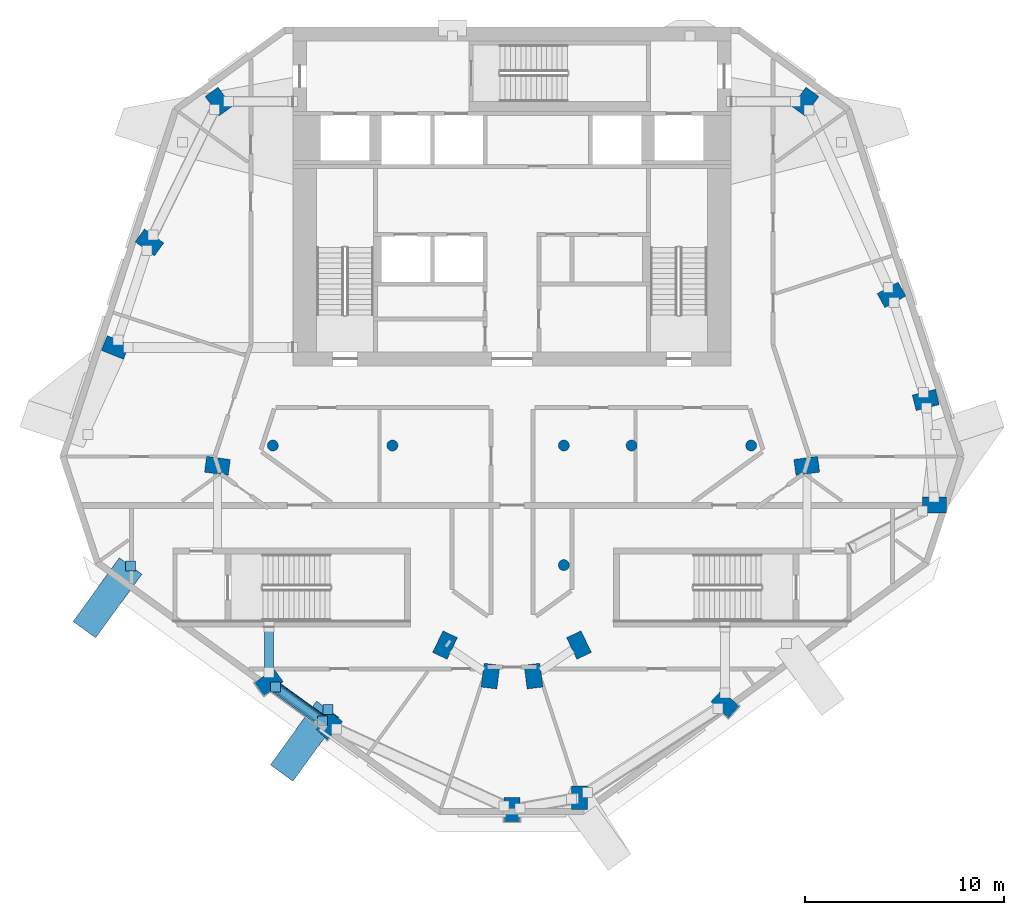
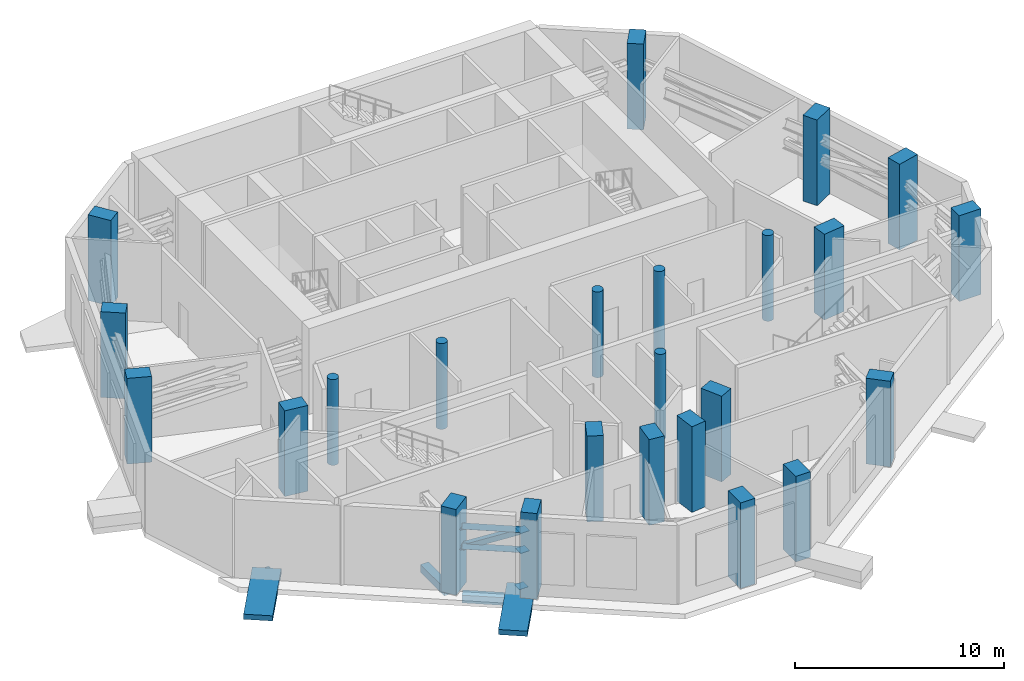
# One storey, part 1 of 15: 24 columns, 6 discrete accessories, 5 members, 2 beams.
"""IFC4 building model written with IfcOpenShell, lengths in metres."""

import ifcopenshell
import ifcopenshell.guid

model = None  # the IFC model being written
_history = None  # IfcOwnerHistory: only IFC2X3 demands one
_inside = {}  # id of a spatial element -> (the spatial element, [elements in it])
_under = {}  # id of a project, library or spatial element -> (it, [spatial elements below it])
_declared = {}  # id of a project -> (the project, [libraries it declares])
_typed = {}  # id of a type object -> (the type object, [elements of that type])
_made_of = {}  # id of a material, layer set ... -> (it, [elements and type objects made of it])


def new_model(schema):
    """Start an empty IFC model of exactly this schema.

    Asked for "IFC4X3", IfcOpenShell would pick the latest addendum, in which some entities
    have other attributes; the version numbers below select the first issue.
    IFC2X3 requires an IfcOwnerHistory on every rooted entity: one is made here for all.
    """
    global model, _history
    if schema == "IFC4X3":
        model = ifcopenshell.file(schema_version=(4, 3, 0, 0))
    else:
        model = ifcopenshell.file(schema=schema)
    _inside.clear()
    _under.clear()
    _declared.clear()
    _typed.clear()
    _made_of.clear()
    _history = None
    if model.schema == "IFC2X3":
        org = make("IfcOrganization", Name="unknown")
        user = make(
            "IfcPersonAndOrganization",
            ThePerson=make("IfcPerson", FamilyName="unknown"),
            TheOrganization=org,
        )
        app = make(
            "IfcApplication",
            ApplicationDeveloper=org,
            Version="unknown",
            ApplicationFullName="unknown",
            ApplicationIdentifier="unknown",
        )
        _history = make(
            "IfcOwnerHistory",
            OwningUser=user,
            OwningApplication=app,
            ChangeAction="ADDED",
            CreationDate=0,
        )
    return model


def make(cls, **values):
    """One entity of the class cls with the attributes given. An attribute that is None is left unset."""
    return model.create_entity(
        cls, **{name: value for name, value in values.items() if value is not None}
    )


def rooted(cls, **values):
    """An entity with a GlobalId (a new one), such as an element, a storey or a relation."""
    return make(cls, GlobalId=ifcopenshell.guid.new(), OwnerHistory=_history, **values)


def si_unit(unit_type, name, prefix=None):
    """IfcSIUnit, for example si_unit("LENGTHUNIT", "METRE", prefix="MILLI")."""
    return make("IfcSIUnit", UnitType=unit_type, Prefix=prefix, Name=name)


def assignment(units):
    """IfcUnitAssignment: the units of a project."""
    return None if units is None else make("IfcUnitAssignment", Units=units)


def point(xyz):
    """IfcCartesianPoint."""
    return None if xyz is None else make("IfcCartesianPoint", Coordinates=xyz)


def direction(xyz):
    """IfcDirection."""
    return None if xyz is None else make("IfcDirection", DirectionRatios=xyz)


def frame(location, z_axis=None, x_axis=None):
    """IfcAxis2Placement3D, a coordinate frame: its origin and axes. An axis left out is left unset."""
    return make(
        "IfcAxis2Placement3D",
        Location=point(location),
        Axis=direction(z_axis),
        RefDirection=direction(x_axis),
    )


def frame_2d(location, x_axis=None):
    """IfcAxis2Placement2D, a coordinate frame in the plane: its origin and x axis."""
    return make(
        "IfcAxis2Placement2D", Location=point(location), RefDirection=direction(x_axis)
    )


def origin():
    """The frame at (0, 0, 0) with its axes left unset."""
    return frame((0.0, 0.0, 0.0))


def origin_2d():
    """The frame at (0, 0) in the plane with its x axis left unset."""
    return frame_2d((0.0, 0.0))


def place(relative_to, where):
    """IfcLocalPlacement: puts the frame where relative to a parent placement (None: the world)."""
    return make(
        "IfcLocalPlacement", PlacementRelTo=relative_to, RelativePlacement=where
    )


def context(
    kind, dimensions, precision=None, world=None, true_north=None, identifier=None
):
    """IfcGeometricRepresentationContext, for example the 3D "Model" context."""
    return make(
        "IfcGeometricRepresentationContext",
        ContextIdentifier=identifier,
        ContextType=kind,
        CoordinateSpaceDimension=dimensions,
        Precision=precision,
        WorldCoordinateSystem=world,
        TrueNorth=true_north,
    )


def subcontext(parent, identifier, kind, view, scale=None):
    """IfcGeometricRepresentationSubContext, for example "Body" below "Model"."""
    return make(
        "IfcGeometricRepresentationSubContext",
        ContextIdentifier=identifier,
        ContextType=kind,
        ParentContext=parent,
        TargetScale=scale,
        TargetView=view,
    )


def project(units=None, contexts=None):
    """IfcProject with its units and contexts."""
    return rooted(
        "IfcProject",
        Name="project",
        RepresentationContexts=contexts,
        UnitsInContext=assignment(units),
    )


def spatial(cls, under=None, at=None, **own):
    """A site, building, storey or space (cls), placed at a placement, below another one or the project."""
    s = rooted(cls, ObjectPlacement=at, **own)
    if under is not None:
        _under.setdefault(under.id(), (under, []))[1].append(s)
    return s


def profile(cls, at=None, kind="AREA", **sizes):
    """A parametric profile (cls). Its sizes go by their IFC names, for example OverallWidth=200.0."""
    return make(cls, ProfileType=kind, Position=at, **sizes)


def rectangle(**sizes):
    """IfcRectangleProfileDef."""
    return profile("IfcRectangleProfileDef", **sizes)


def hollow_rectangle(**sizes):
    """IfcRectangleHollowProfileDef."""
    return profile("IfcRectangleHollowProfileDef", **sizes)


def circle(**sizes):
    """IfcCircleProfileDef."""
    return profile("IfcCircleProfileDef", **sizes)


def i_section(**sizes):
    """IfcIShapeProfileDef."""
    return profile("IfcIShapeProfileDef", **sizes)


def extrude(swept, where, along, depth):
    """IfcExtrudedAreaSolid: the profile swept, set in the frame where, extruded along a direction by depth."""
    return make(
        "IfcExtrudedAreaSolid",
        SweptArea=swept,
        Position=where,
        ExtrudedDirection=direction(along),
        Depth=depth,
    )


def shape(context_of_items, identifier, shape_type, items):
    """IfcShapeRepresentation: the items that make up one representation, for example the "Body"."""
    return make(
        "IfcShapeRepresentation",
        ContextOfItems=context_of_items,
        RepresentationIdentifier=identifier,
        RepresentationType=shape_type,
        Items=items,
    )


def material(Name=None, Category=None):
    """IfcMaterial."""
    return make("IfcMaterial", Name=Name, Category=Category)


def layer(
    of_material, thickness, ventilated=None, Name=None, Category=None, Priority=None
):
    """IfcMaterialLayer: one layer of a wall or slab, of a material (None: an air gap)."""
    return make(
        "IfcMaterialLayer",
        Material=of_material,
        LayerThickness=thickness,
        IsVentilated=ventilated,
        Name=Name,
        Category=Category,
        Priority=Priority,
    )


def layer_set(layers, Name=None):
    """IfcMaterialLayerSet."""
    return make("IfcMaterialLayerSet", MaterialLayers=layers, LayerSetName=Name)


def material_profile(
    of_material, cross_section, Name=None, Category=None, Priority=None
):
    """IfcMaterialProfile: a cross section and its material."""
    return make(
        "IfcMaterialProfile",
        Name=Name,
        Material=of_material,
        Profile=cross_section,
        Priority=Priority,
        Category=Category,
    )


def profile_set(profiles, Name=None, composite=None):
    """IfcMaterialProfileSet."""
    return make(
        "IfcMaterialProfileSet",
        Name=Name,
        MaterialProfiles=profiles,
        CompositeProfile=composite,
    )


def made_of(thing, what):
    """Note that an element or type object is made of a material, layer set ...; save() writes the relation."""
    if what is not None:
        _made_of.setdefault(what.id(), (what, []))[1].append(thing)
    return thing


def type_object(cls, material=None, **own):
    """A type object (cls), such as IfcWallType, which elements share."""
    return made_of(rooted(cls, **own), material)


def element(
    cls,
    number,
    at=None,
    inside=None,
    cuts=None,
    type_object=None,
    material=None,
    context=None,
    identifier="Body",
    shape_type=None,
    held_by="IfcProductDefinitionShape",
    body=None,
    shapes=None,
    **own,
):
    """One element of the class cls, such as IfcWall. Its Tag is "e" and its number.

    at: its placement. inside: the storey or other place that contains it. cuts: it is an
    opening in that element (IfcRelVoidsElement). A single representation is given by context,
    identifier, shape_type and body (its items); several are given by shapes. held_by: the class
    of the entity that holds the representations. save() writes the other relations.
    """
    e = rooted(cls, Tag="e%d" % number, ObjectPlacement=at, **own)
    if body is not None:
        shapes = [shape(context, identifier, shape_type, body)]
    if shapes is not None:
        e.Representation = make(held_by, Representations=shapes)
    if inside is not None:
        _inside.setdefault(inside.id(), (inside, []))[1].append(e)
    if cuts is not None:
        rooted(
            "IfcRelVoidsElement", RelatingBuildingElement=cuts, RelatedOpeningElement=e
        )
    if type_object is not None:
        _typed.setdefault(type_object.id(), (type_object, []))[1].append(e)
    return made_of(e, material)


def aggregate(whole, parts):
    """IfcRelAggregates: a whole, such as a stair, and the parts it consists of."""
    return rooted("IfcRelAggregates", RelatingObject=whole, RelatedObjects=parts)


def save(model, path):
    """Write the relations noted so far, then the file.

    IfcRelAggregates (storeys below a building ...), IfcRelContainedInSpatialStructure (elements
    in a storey), IfcRelDefinesByType, IfcRelAssociatesMaterial and IfcRelDeclares: one each for
    every whole, place, type object, material and project.
    """
    for whole, parts in _under.values():
        aggregate(whole, parts)
    for where, things in _inside.values():
        rooted(
            "IfcRelContainedInSpatialStructure",
            RelatedElements=things,
            RelatingStructure=where,
        )
    for kind, things in _typed.values():
        rooted("IfcRelDefinesByType", RelatedObjects=things, RelatingType=kind)
    for what, things in _made_of.values():
        rooted("IfcRelAssociatesMaterial", RelatedObjects=things, RelatingMaterial=what)
    for by, libraries in _declared.values():
        rooted("IfcRelDeclares", RelatingContext=by, RelatedDefinitions=libraries)
    model.write(path)


model = new_model("IFC4")

# Units and contexts
model_context = context("Model", 3, precision=1e-05, world=origin(), true_north=direction((0.0, 1.0)))
body_context = subcontext(model_context, "Body", "Model", "MODEL_VIEW")
ifc_project = project(units=[si_unit("LENGTHUNIT", "METRE"), si_unit("AREAUNIT", "SQUARE_METRE"), si_unit("VOLUMEUNIT", "CUBIC_METRE"), si_unit("PLANEANGLEUNIT", "RADIAN"), si_unit("MASSUNIT", "GRAM", prefix="KILO")], contexts=[model_context])

# Site, building, storey
site_placement = place(None, origin())
site = spatial("IfcSite", under=ifc_project, at=site_placement, CompositionType="ELEMENT")
building_placement = place(site_placement, origin())
building = spatial("IfcBuilding", under=site, at=building_placement, Name="White Candle Pilgrim Tower", CompositionType="ELEMENT")
storey_placement = place(building_placement, frame((0.0, 0.0, 295.10009765625)))
storey = spatial("IfcBuildingStorey", under=building, at=storey_placement, Name="L70", CompositionType="ELEMENT", Elevation=295.10009765625)

# Columns
ifc_material_1 = material(Name="Concrete C60/75", Category="concrete")
ifc_material_profile_1 = material_profile(ifc_material_1, circle(Radius=0.27490234375, at=origin_2d()), Name="RC-COL D550")
ifc_profile_set_1 = profile_set([ifc_material_profile_1], Name="Concrete C60/75")
column_type_1 = type_object("IfcColumnType", Name="Interior column RC-COL D550 C60/75", PredefinedType="COLUMN", material=ifc_profile_set_1)
for number, where, z_axis, x_axis, name in (
    (1, (58.0, 67.0, 0.0), (0.0, 0.0, 1.0), (1.0, 0.0, 0.0), "L70 column I01"),
    (2, (64.0, 67.0, 0.0), (0.0, 0.0, 1.0), (1.0, 0.0, 0.0), "L70 column I02"),
    (3, (72.60009765625, 61.0, 0.0), (0.0, 0.0, 1.0), (1.0, 0.0, 0.0), "L70 column I03"),
    (4, (72.60009765625, 67.0, 0.0), (0.0, 0.0, 1.0), (1.0, 0.0, 0.0), "L70 column I04"),
    (5, (76.0, 67.0, 0.0), (0.0, 0.0, 1.0), (1.0, 0.0, 0.0), "L70 column I05"),
    (6, (82.0, 67.0, 0.0), (0.0, 0.0, 1.0), (1.0, 0.0, 0.0), "L70 column I06"),
):
    element("IfcColumn", number, at=place(storey_placement, frame(where, z_axis=z_axis, x_axis=x_axis)), inside=storey, type_object=column_type_1, Name=name, PredefinedType="COLUMN", context=body_context, shape_type="SweptSolid", body=[
        extrude(circle(Radius=0.27490234375, at=origin_2d()), origin(), (0.0, 0.0, 1.0), 5.0),
    ])
ifc_material_profile_2 = material_profile(ifc_material_1, rectangle(XDim=0.800048828125, YDim=1.199951171875, at=origin_2d()), Name="RC-PR 800x1200")
ifc_profile_set_2 = profile_set([ifc_material_profile_2], Name="Concrete C60/75")
column_type_2 = type_object("IfcColumnType", Name="Perimeter column RC-PR 800x1200 C60/75", PredefinedType="COLUMN", material=ifc_profile_set_2)
for number, where, z_axis, x_axis, name in (
    (7, (57.800048828125, 55.1201171875, 0.0), (0.0, 0.0, 1.0), (-0.58846280644, 0.808524288711, 0.0), "L70 column T01"),
    (8, (60.81005859375, 52.93994140625, 0.0), (0.0, 0.0, 1.0), (-0.769310358735, 0.638875239733, 0.0), "L70 column T02"),
    (9, (70.0, 48.72998046875, 0.0), (0.0, 0.0, 1.0), (-1.0, 0.0, 0.0), "L70 column T03"),
    (10, (73.389892578125, 49.330078125, 0.0), (0.0, 0.0, 1.0), (-1.0, 0.0, 0.0), "L70 column T04"),
    (11, (80.68994140625, 54.030029296875, 0.0), (0.0, 0.0, 1.0), (-0.681998360062, -0.731353701619, 0.0), "L70 column T05"),
    (12, (91.199951171875, 64.02001953125, 0.0), (0.0, 0.0, 1.0), (0.000855211229, -0.999999634307, 0.0), "L70 column T06"),
    (13, (90.760009765625, 69.2900390625, 0.0), (0.0, 0.0, 1.0), (0.246880623275, -0.969045900797, 0.0), "L70 column T07"),
    (14, (89.0400390625, 74.56005859375, 0.0), (0.0, 0.0, 1.0), (0.484809620246, -0.874619707139, 0.0), "L70 column T08"),
    (15, (84.719970703125, 84.260009765625, 0.0), (0.0, 0.0, 1.0), (0.80902725304, -0.587771132193, 0.0), "L70 column T09"),
    (16, (55.280029296875, 84.260009765625, 0.0), (0.0, 0.0, 1.0), (0.80902725304, 0.587771132193, 0.0), "L70 column T10"),
    (17, (51.81005859375, 77.18994140625, 0.0), (0.0, 0.0, 1.0), (0.587107285614, 0.809509132239, 0.0), "L70 column T11"),
    (18, (50.10009765625, 71.919921875, 0.0), (0.0, 0.0, 1.0), (0.369860269472, 0.929087391512, 0.0), "L70 column T12"),
):
    element("IfcColumn", number, at=place(storey_placement, frame(where, z_axis=z_axis, x_axis=x_axis)), inside=storey, type_object=column_type_2, Name=name, PredefinedType="COLUMN", context=body_context, shape_type="SweptSolid", body=[
        extrude(rectangle(XDim=0.800048828125, YDim=1.199951171875, at=origin_2d()), origin(), (0.0, 0.0, 1.0), 5.0),
    ])
ifc_material_profile_3 = material_profile(ifc_material_1, rectangle(XDim=0.800048828125, YDim=1.199951171875, at=origin_2d()), Name="RC-PR 800x1200")
ifc_profile_set_3 = profile_set([ifc_material_profile_3], Name="Concrete C60/75")
column_type_3 = type_object("IfcColumnType", Name="Ring column RC-PR 800x1200 C60/75", PredefinedType="COLUMN", material=ifc_profile_set_3)
for number, where, z_axis, x_axis, name in (
    (19, (66.639892578125, 56.989990234375, 0.0), (0.0, 0.0, 1.0), (-0.901689191761, 0.43238478403, 0.0), "L70 column R01"),
    (20, (68.919921875, 55.429931640625, 0.0), (0.0, 0.0, 1.0), (-0.992092811428, 0.125506388335, 0.0), "L70 column R02"),
    (21, (71.080078125, 55.429931640625, 0.0), (0.0, 0.0, 1.0), (-0.992092811428, -0.125506388335, 0.0), "L70 column R03"),
    (22, (73.360107421875, 56.989990234375, 0.0), (0.0, 0.0, 1.0), (-0.901689191761, -0.43238478403, 0.0), "L70 column R04"),
    (23, (84.7900390625, 65.97998046875, 0.0), (0.0, 0.0, 1.0), (0.132602381688, -0.991169313675, 0.0), "L70 column R05"),
    (24, (55.219970703125, 65.97998046875, 0.0), (0.0, 0.0, 1.0), (0.132602381688, 0.991169313675, 0.0), "L70 column R06"),
):
    element("IfcColumn", number, at=place(storey_placement, frame(where, z_axis=z_axis, x_axis=x_axis)), inside=storey, type_object=column_type_3, Name=name, PredefinedType="COLUMN", context=body_context, shape_type="SweptSolid", body=[
        extrude(rectangle(XDim=0.800048828125, YDim=1.199951171875, at=origin_2d()), origin(), (0.0, 0.0, 1.0), 5.0),
    ])

# Member
ifc_material_2 = material(Name="Steel S355", Category="steel")
ifc_material_profile_4 = material_profile(ifc_material_2, i_section(OverallWidth=0.305908203125, OverallDepth=0.52392578125, WebThickness=0.02099609375, FlangeThickness=0.0400390625, FilletRadius=0.027099609375, at=origin_2d()), Name="HEM 500")
ifc_profile_set_4 = profile_set([ifc_material_profile_4], Name="Steel S355")
member_type_1 = type_object("IfcMemberType", Name="Belt truss chord HEM 500 S355", PredefinedType="CHORD", material=ifc_profile_set_4)
member_1_placement = place(storey_placement, frame((58.140625, 54.873291015625, 2.411865234375), z_axis=(0.809886863982, -0.586586112647, 0.0), x_axis=(0.344076553086, 0.475059116711, 0.809895154477)))
member_1 = element("IfcMember", 25, at=member_1_placement, inside=storey, type_object=member_type_1, Name="L70 belt truss bottom chord 01", PredefinedType="CHORD", context=body_context, shape_type="SweptSolid", body=[
    extrude(i_section(OverallWidth=0.305908203125, OverallDepth=0.52392578125, WebThickness=0.02099609375, FlangeThickness=0.0400390625, FilletRadius=0.027099609375, at=origin_2d()), origin(), (0.0, 0.0, 1.0), 2.89501953125),
])

member_2_placement = place(storey_placement, frame((58.140625, 54.873291015625, 3.577880859375), z_axis=(0.809886863982, -0.586586112647, 0.0), x_axis=(0.344076553086, 0.475059116711, 0.809895154477)))
member_2 = element("IfcMember", 26, at=member_2_placement, inside=storey, type_object=member_type_1, Name="L70 belt truss top chord 01", PredefinedType="CHORD", context=body_context, shape_type="SweptSolid", body=[
    extrude(i_section(OverallWidth=0.305908203125, OverallDepth=0.52392578125, WebThickness=0.02099609375, FlangeThickness=0.0400390625, FilletRadius=0.027099609375, at=origin_2d()), origin(), (0.0, 0.0, 1.0), 2.89501953125),
])

ifc_material_profile_5 = material_profile(ifc_material_2, hollow_rectangle(XDim=0.300048828125, YDim=0.300048828125, WallThickness=0.01611328125, at=origin_2d()), Name="SHS 300x300x16")
ifc_profile_set_5 = profile_set([ifc_material_profile_5], Name="Steel S355")
member_type_2 = type_object("IfcMemberType", Name="Belt truss diagonal SHS 300x300x16 S355", PredefinedType="BRACE", material=ifc_profile_set_5)
member_3_placement = place(storey_placement, frame((58.140625, 54.873291015625, 2.411865234375), z_axis=(0.75124634259, -0.544113864958, 0.373589393191), x_axis=(0.586586112647, 0.809886863982, 0.0)))
element("IfcMember", 27, at=member_3_placement, inside=storey, type_object=member_type_2, Name="L70 belt truss diagonal 01", PredefinedType="BRACE", context=body_context, shape_type="SweptSolid", body=[
    extrude(hollow_rectangle(XDim=0.300048828125, YDim=0.300048828125, WallThickness=0.01611328125, at=origin_2d()), origin(), (0.0, 0.0, 1.0), 3.12109375),
])

ifc_material_3 = material(Name="Concrete C70/85, white", Category="concrete")
ifc_layer_1 = layer(ifc_material_3, 0.300048828125)
ifc_layer_set_1 = layer_set([ifc_layer_1], Name="Node tie strut 3950x1400x300 C70/85")
member_type_3 = type_object("IfcMemberType", Name="Node tie strut 3950x1400x300 C70/85", PredefinedType="STRUT", material=ifc_layer_set_1)
member_4_placement = place(storey_placement, frame((49.702880859375, 59.356689453125, -0.30029296875), z_axis=(0.0, 0.0, 1.0), x_axis=(0.809016994375, -0.587785252292, 0.0)))
member_4 = element("IfcMember", 28, at=member_4_placement, inside=storey, type_object=member_type_3, Name="Node tie strut NC245", PredefinedType="STRUT", context=body_context, shape_type="SweptSolid", body=[
    extrude(rectangle(XDim=1.39990234375, YDim=3.949951171875, at=origin_2d()), origin(), (0.0, 0.0, 1.0), 0.300048828125),
])

member_5_placement = place(storey_placement, frame((59.6015625, 52.1650390625, -0.30029296875), z_axis=(0.0, 0.0, 1.0), x_axis=(0.809016994375, -0.587785252292, 0.0)))
member_5 = element("IfcMember", 29, at=member_5_placement, inside=storey, type_object=member_type_3, Name="Node tie strut NC246", PredefinedType="STRUT", context=body_context, shape_type="SweptSolid", body=[
    extrude(rectangle(XDim=1.39990234375, YDim=3.949951171875, at=origin_2d()), origin(), (0.0, 0.0, 1.0), 0.300048828125),
])

# Beams
ifc_material_4 = material(Name="Concrete C50/60", Category="concrete")
ifc_material_profile_6 = material_profile(ifc_material_4, rectangle(XDim=0.449951171875, YDim=0.449951171875, at=origin_2d()), Name="RC-BM 450x450")
ifc_profile_set_6 = profile_set([ifc_material_profile_6], Name="Concrete C50/60")
beam_type = type_object("IfcBeamType", Name="Spandrel beam RC-BM 450x450 C50/60", PredefinedType="BEAM", material=ifc_profile_set_6)
beam_1_placement = place(storey_placement, frame((58.140625, 54.873291015625, -0.525146484375), z_axis=(0.809886863982, -0.586586112647, 0.0), x_axis=(0.586586112647, 0.809886863982, 0.0)))
element("IfcBeam", 30, at=beam_1_placement, inside=storey, type_object=beam_type, Name="L70 spandrel beam T01", PredefinedType="BEAM", context=body_context, shape_type="SweptSolid", body=[
    extrude(rectangle(XDim=0.449951171875, YDim=0.449951171875, at=origin_2d()), origin(), (0.0, 0.0, 1.0), 2.89501953125),
])
beam_2_placement = place(storey_placement, frame((57.800048828125, 55.61474609375, -0.525146484375), z_axis=(0.0, 1.0, 0.0), x_axis=(-1.0, 0.0, 0.0)))
element("IfcBeam", 31, at=beam_2_placement, inside=storey, type_object=beam_type, Name="L70 spandrel beam T15", PredefinedType="BEAM", context=body_context, shape_type="SweptSolid", body=[
    extrude(rectangle(XDim=0.449951171875, YDim=0.449951171875, at=origin_2d()), origin(), (0.0, 0.0, 1.0), 2.28515625),
])

# Discrete accessory
ifc_layer_2 = layer(ifc_material_2, 0.02490234375)
ifc_layer_set_2 = layer_set([ifc_layer_2], Name="Gusset plate 500x500x25 S355")
discrete_accessory_type = type_object("IfcDiscreteAccessoryType", Name="Gusset plate 500x500x25 S355", PredefinedType="BRACKET", material=ifc_layer_set_2)
discrete_accessory_1_placement = place(storey_placement, frame((50.864013671875, 60.95458984375, -0.16259765625), z_axis=(0.0, 0.0, 1.0), x_axis=(1.0, 0.0, 0.0)))
discrete_accessory_1 = element("IfcDiscreteAccessory", 32, at=discrete_accessory_1_placement, type_object=discrete_accessory_type, Name="Gusset plate 0626", PredefinedType="BRACKET", context=body_context, shape_type="SweptSolid", body=[
    extrude(rectangle(XDim=0.5, YDim=0.5, at=origin_2d()), origin(), (0.0, 0.0, 1.0), 0.02490234375),
])

aggregate(member_4, [discrete_accessory_1])

discrete_accessory_2_placement = place(storey_placement, frame((60.762451171875, 53.762939453125, -0.16259765625), z_axis=(0.0, 0.0, 1.0), x_axis=(1.0, 0.0, 0.0)))
discrete_accessory_2 = element("IfcDiscreteAccessory", 33, at=discrete_accessory_2_placement, type_object=discrete_accessory_type, Name="Gusset plate 0627", PredefinedType="BRACKET", context=body_context, shape_type="SweptSolid", body=[
    extrude(rectangle(XDim=0.5, YDim=0.5, at=origin_2d()), origin(), (0.0, 0.0, 1.0), 0.02490234375),
])

aggregate(member_5, [discrete_accessory_2])

discrete_accessory_3_placement = place(storey_placement, frame((58.140625, 54.873291015625, 2.3994140625), z_axis=(0.0, 0.0, 1.0), x_axis=(1.0, 0.0, 0.0)))
discrete_accessory_3 = element("IfcDiscreteAccessory", 34, at=discrete_accessory_3_placement, type_object=discrete_accessory_type, Name="Gusset plate 0898", PredefinedType="BRACKET", context=body_context, shape_type="SweptSolid", body=[
    extrude(rectangle(XDim=0.5, YDim=0.5, at=origin_2d()), origin(), (0.0, 0.0, 1.0), 0.02490234375),
])

discrete_accessory_4_placement = place(storey_placement, frame((60.4853515625, 53.175048828125, 2.3994140625), z_axis=(0.0, 0.0, 1.0), x_axis=(1.0, 0.0, 0.0)))
discrete_accessory_4 = element("IfcDiscreteAccessory", 35, at=discrete_accessory_4_placement, type_object=discrete_accessory_type, Name="Gusset plate 0899", PredefinedType="BRACKET", context=body_context, shape_type="SweptSolid", body=[
    extrude(rectangle(XDim=0.5, YDim=0.5, at=origin_2d()), origin(), (0.0, 0.0, 1.0), 0.02490234375),
])

aggregate(member_1, [discrete_accessory_3, discrete_accessory_4])

discrete_accessory_5_placement = place(storey_placement, frame((58.140625, 54.873291015625, 3.5654296875), z_axis=(0.0, 0.0, 1.0), x_axis=(1.0, 0.0, 0.0)))
discrete_accessory_5 = element("IfcDiscreteAccessory", 36, at=discrete_accessory_5_placement, type_object=discrete_accessory_type, Name="Gusset plate 0900", PredefinedType="BRACKET", context=body_context, shape_type="SweptSolid", body=[
    extrude(rectangle(XDim=0.5, YDim=0.5, at=origin_2d()), origin(), (0.0, 0.0, 1.0), 0.02490234375),
])

discrete_accessory_6_placement = place(storey_placement, frame((60.4853515625, 53.175048828125, 3.5654296875), z_axis=(0.0, 0.0, 1.0), x_axis=(1.0, 0.0, 0.0)))
discrete_accessory_6 = element("IfcDiscreteAccessory", 37, at=discrete_accessory_6_placement, type_object=discrete_accessory_type, Name="Gusset plate 0901", PredefinedType="BRACKET", context=body_context, shape_type="SweptSolid", body=[
    extrude(rectangle(XDim=0.5, YDim=0.5, at=origin_2d()), origin(), (0.0, 0.0, 1.0), 0.02490234375),
])

aggregate(member_2, [discrete_accessory_5, discrete_accessory_6])

save(model, "model.ifc")
